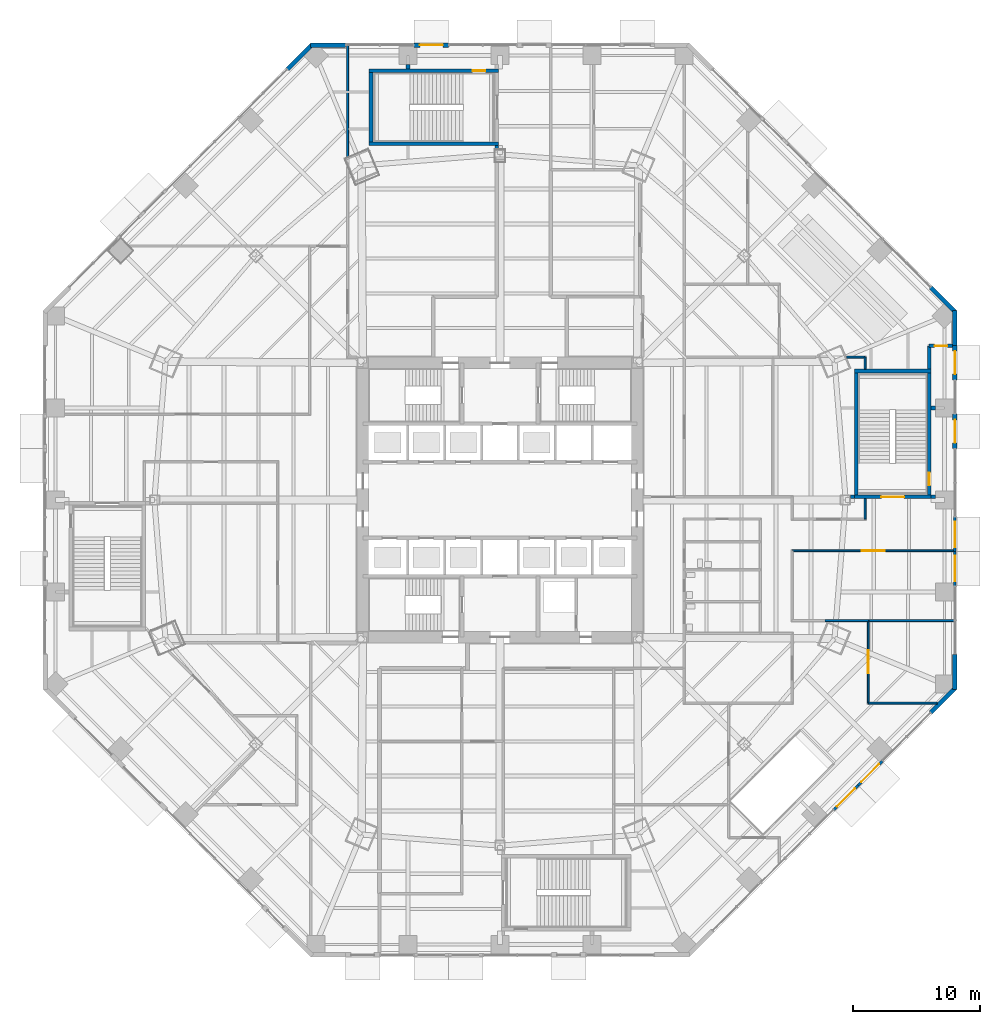
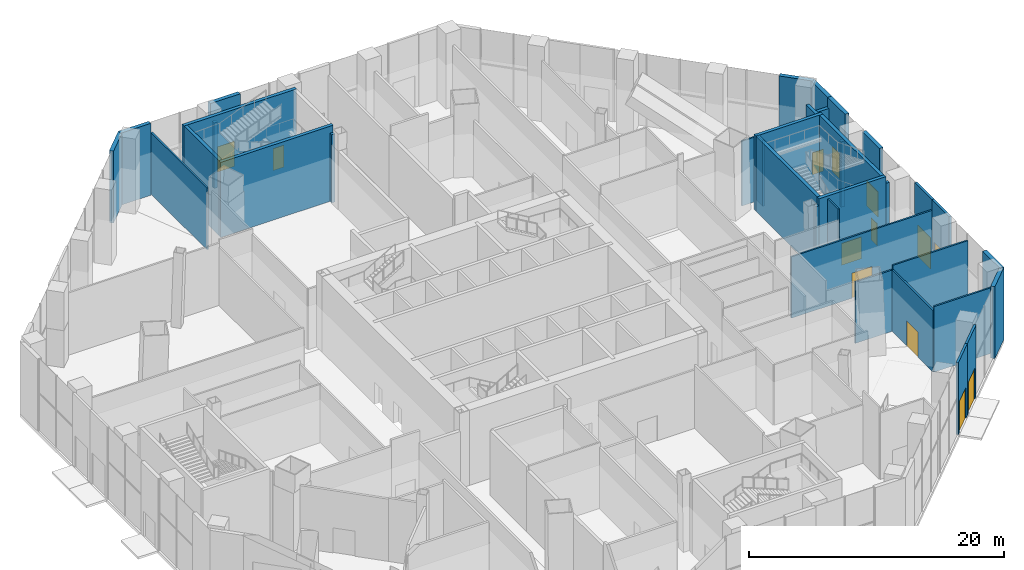
# One storey, part 25 of 35: 36 walls, 13 doors, 13 openings.
"""IFC4 building model written with IfcOpenShell, lengths in metres."""

from ifc_helpers import new_model, si_unit, direction, frame, frame_2d, origin, place, context, subcontext, project, spatial, rectangle, extrude, material, layer, layer_set, type_object, element, fill, save


model = new_model("IFC4")

# Units and contexts
model_context = context("Model", 3, precision=1e-05, world=origin(), true_north=direction((0.0, 1.0)))
body_context = subcontext(model_context, "Body", "Model", "MODEL_VIEW")
ifc_project = project(units=[si_unit("LENGTHUNIT", "METRE"), si_unit("AREAUNIT", "SQUARE_METRE"), si_unit("VOLUMEUNIT", "CUBIC_METRE"), si_unit("PLANEANGLEUNIT", "RADIAN"), si_unit("MASSUNIT", "GRAM", prefix="KILO")], contexts=[model_context])

# Site, building, storey
site_placement = place(None, origin())
site = spatial("IfcSite", under=ifc_project, at=site_placement, CompositionType="ELEMENT")
building_placement = place(site_placement, origin())
building = spatial("IfcBuilding", under=site, at=building_placement, Name="Mashrafa Tower", CompositionType="ELEMENT")
storey_placement = place(building_placement, origin())
storey = spatial("IfcBuildingStorey", under=building, at=storey_placement, Name="L00", CompositionType="ELEMENT", Elevation=0.0)

# Walls
ifc_material_1 = material(Name="Gypsum board on steel studs", Category="steel")
ifc_layer_1 = layer(ifc_material_1, 0.14990234375)
ifc_layer_set_1 = layer_set([ifc_layer_1], Name="Corridor partition 150 1 hr")
wall_type_1 = type_object("IfcWallType", Name="Corridor partition 150 1 hr", PredefinedType="PARTITIONING", material=ifc_layer_set_1)
wall_1_placement = place(storey_placement, frame((28.75, 10.299560546875, 0.0), z_axis=(0.0, 0.0, 1.0), x_axis=(0.0, 1.0, 0.0)))
element("IfcWall", 1, at=wall_1_placement, inside=storey, type_object=wall_type_1, Name="Corridor wall L00-075", PredefinedType="PARTITIONING", context=body_context, shape_type="SweptSolid", body=[
    extrude(rectangle(XDim=0.950439453125, YDim=0.14990234375, at=frame_2d((0.47509765625, 0.0))), origin(), (0.0, 0.0, 1.0), 6.3642578125),
])
wall_2_placement = place(storey_placement, frame((28.75, 11.25, 0.0), z_axis=(0.0, 0.0, 1.0), x_axis=(-1.0, 0.0, 0.0)))
element("IfcWall", 2, at=wall_2_placement, inside=storey, type_object=wall_type_1, Name="Corridor wall L00-076", PredefinedType="PARTITIONING", context=body_context, shape_type="SweptSolid", body=[
    extrude(rectangle(XDim=1.451416015625, YDim=0.14990234375, at=frame_2d((0.7255859375, 0.0))), origin(), (0.0, 0.0, 1.0), 6.206787109375),
])
wall_3_placement = place(storey_placement, frame((28.75, -1.5, 0.0), z_axis=(0.0, 0.0, 1.0), x_axis=(0.0, 1.0, 0.0)))
element("IfcWall", 3, at=wall_3_placement, inside=storey, type_object=wall_type_1, Name="Corridor wall L00-081", PredefinedType="PARTITIONING", context=body_context, shape_type="SweptSolid", body=[
    extrude(rectangle(XDim=1.6005859375, YDim=0.14990234375, at=frame_2d((0.80029296875, 0.0))), origin(), (0.0, 0.0, 1.0), 6.89990234375),
])

# Wall, opening, door
wall_4_placement = place(storey_placement, frame((29.0, -9.5, 0.0), z_axis=(0.0, 0.0, 1.0), x_axis=(0.0, -1.0, 0.0)))
wall_4 = element("IfcWall", 4, at=wall_4_placement, inside=storey, type_object=wall_type_1, Name="Corridor wall L00-108", PredefinedType="PARTITIONING", context=body_context, shape_type="SweptSolid", body=[
    extrude(rectangle(XDim=6.5, YDim=0.14990234375, at=frame_2d((3.25, 0.0))), origin(), (0.0, 0.0, 1.0), 5.906982421875),
])
opening_1_placement = place(wall_4_placement, frame((2.35009765625, 0.0, 0.0)))
opening_1 = element("IfcOpeningElement", 5, at=opening_1_placement, cuts=wall_4, Name="Opening 00.025", PredefinedType="OPENING", context=body_context, shape_type="SweptSolid", body=[
    extrude(rectangle(XDim=1.800048828125, YDim=2.39990234375, at=frame_2d((0.89990234375, 1.199951171875))), frame((0.0, 0.0849609375, 0.0), z_axis=(0.0, -1.0, 0.0), x_axis=(1.0, 0.0, 0.0)), (0.0, 0.0, 1.0), 0.169921875),
])
ifc_material_2 = material(Name="Timber door", Category="wood")
door_type_1 = type_object("IfcDoorType", Name="Door pair 1800 x 2400", OperationType="DOUBLE_DOOR_SINGLE_SWING", PredefinedType="DOOR", material=ifc_material_2)
door_1_placement = place(opening_1_placement, origin())
door_1 = element("IfcDoor", 6, at=door_1_placement, inside=storey, type_object=door_type_1, Name="Pharmacy L00 door", OperationType="DOUBLE_DOOR_SINGLE_SWING", OverallHeight=2.39990234375, OverallWidth=1.800048828125, PredefinedType="DOOR", context=body_context, shape_type="SweptSolid", body=[
    extrude(rectangle(XDim=1.800048828125, YDim=2.39990234375, at=frame_2d((0.89990234375, 1.199951171875))), frame((0.0, 0.02490234375, 0.0), z_axis=(0.0, -1.0, 0.0), x_axis=(1.0, 0.0, 0.0)), (0.0, 0.0, 1.0), 0.050048828125),
])
fill(opening_1, door_1)

# Wall
wall_5_placement = place(storey_placement, frame((29.0, -16.0, 0.0), z_axis=(0.0, 0.0, 1.0), x_axis=(1.0, 0.0, 0.0)))
element("IfcWall", 7, at=wall_5_placement, inside=storey, type_object=wall_type_1, Name="Corridor wall L00-109", PredefinedType="PARTITIONING", context=body_context, shape_type="SweptSolid", body=[
    extrude(rectangle(XDim=5.416748046875, YDim=0.14990234375, at=frame_2d((2.70849609375, 0.0))), origin(), (0.0, 0.0, 1.0), 6.29052734375),
])

# Wall, opening, door
wall_6_placement = place(storey_placement, frame((35.719970703125, -4.0, 0.0), z_axis=(0.0, 0.0, 1.0), x_axis=(-1.0, 0.0, 0.0)))
wall_6 = element("IfcWall", 8, at=wall_6_placement, inside=storey, type_object=wall_type_1, Name="Corridor wall L00-112", PredefinedType="PARTITIONING", context=body_context, shape_type="SweptSolid", body=[
    extrude(rectangle(XDim=12.719970703125, YDim=0.14990234375, at=frame_2d((6.35986328125, 0.0))), origin(), (0.0, 0.0, 1.0), 5.879150390625),
])
opening_2_placement = place(wall_6_placement, frame((5.425048828125, 0.0, 0.0)))
opening_2 = element("IfcOpeningElement", 9, at=opening_2_placement, cuts=wall_6, Name="Opening 00.027", PredefinedType="OPENING", context=body_context, shape_type="SweptSolid", body=[
    extrude(rectangle(XDim=1.800048828125, YDim=2.39990234375, at=frame_2d((0.89990234375, 1.199951171875))), frame((0.0, 0.0849609375, 0.0), z_axis=(0.0, -1.0, 0.0), x_axis=(1.0, 0.0, 0.0)), (0.0, 0.0, 1.0), 0.169921875),
])
door_2_placement = place(opening_2_placement, origin())
door_2 = element("IfcDoor", 10, at=door_2_placement, inside=storey, type_object=door_type_1, Name="Retail Unit 002 door", OperationType="DOUBLE_DOOR_SINGLE_SWING", OverallHeight=2.39990234375, OverallWidth=1.800048828125, PredefinedType="DOOR", context=body_context, shape_type="SweptSolid", body=[
    extrude(rectangle(XDim=1.800048828125, YDim=2.39990234375, at=frame_2d((0.89990234375, 1.199951171875))), frame((0.0, 0.02490234375, 0.0), z_axis=(0.0, -1.0, 0.0), x_axis=(1.0, 0.0, 0.0)), (0.0, 0.0, 1.0), 0.050048828125),
])
fill(opening_2, door_2)

# Wall
wall_7_placement = place(storey_placement, frame((25.597900390625, -9.5, 0.0), z_axis=(0.0, 0.0, 1.0), x_axis=(1.0, 0.0, 0.0)))
element("IfcWall", 11, at=wall_7_placement, inside=storey, type_object=wall_type_1, Name="Corridor wall L00-115", PredefinedType="PARTITIONING", context=body_context, shape_type="SweptSolid", body=[
    extrude(rectangle(XDim=3.403076171875, YDim=0.14990234375, at=frame_2d((1.70166015625, 0.0))), origin(), (0.0, 0.0, 1.0), 5.879150390625),
])

# Wall, opening, door
ifc_material_3 = material(Name="Bronze-framed glazed screen")
ifc_layer_2 = layer(ifc_material_3, 0.199951171875)
ifc_layer_set_2 = layer_set([ifc_layer_2], Name="Glazed door screen 200")
wall_type_2 = type_object("IfcWallType", Name="Glazed door screen 200", PredefinedType="SOLIDWALL", material=ifc_layer_set_2)
wall_8_placement = place(storey_placement, frame((35.824951171875, -6.75927734375, 0.0), z_axis=(0.0, 0.0, 1.0), x_axis=(0.0, 1.0, 0.0)))
wall_8 = element("IfcWall", 12, at=wall_8_placement, inside=storey, type_object=wall_type_2, Name="Glazed entrance screen L00 east bay 4", PredefinedType="SOLIDWALL", context=body_context, shape_type="SweptSolid", body=[
    extrude(rectangle(XDim=2.703857421875, YDim=0.199951171875, at=frame_2d((1.35205078125, 0.0))), origin(), (0.0, 0.0, 1.0), 6.89990234375),
])
opening_3_placement = place(wall_8_placement, frame((0.351806640625, 0.0, 0.0)))
opening_3 = element("IfcOpeningElement", 13, at=opening_3_placement, cuts=wall_8, Name="Opening ED1", PredefinedType="OPENING", context=body_context, shape_type="SweptSolid", body=[
    extrude(rectangle(XDim=2.0, YDim=3.0, at=frame_2d((1.0, 1.5))), frame((0.0, 0.10986328125, 0.0), z_axis=(0.0, -1.0, 0.0), x_axis=(1.0, 0.0, 0.0)), (0.0, 0.0, 1.0), 0.219970703125),
])
ifc_material_4 = material(Name="Bronze-framed glazed entrance door")
door_type_2 = type_object("IfcDoorType", Name="Entrance door pair 2000 x 3000", OperationType="DOUBLE_DOOR_SINGLE_SWING", PredefinedType="DOOR", material=ifc_material_4)
door_3_placement = place(opening_3_placement, origin())
door_3 = element("IfcDoor", 14, at=door_3_placement, inside=storey, type_object=door_type_2, Name="Transit hall entrance east", OperationType="SINGLE_SWING_LEFT", OverallHeight=3.0, OverallWidth=2.0, PredefinedType="DOOR", context=body_context, shape_type="SweptSolid", body=[
    extrude(rectangle(XDim=2.0, YDim=3.0, at=frame_2d((1.0, 1.5))), frame((0.0, 0.02490234375, 0.0), z_axis=(0.0, -1.0, 0.0), x_axis=(1.0, 0.0, 0.0)), (0.0, 0.0, 1.0), 0.050048828125),
])
fill(opening_3, door_3)

wall_9_placement = place(storey_placement, frame((35.824951171875, -4.055419921875, 0.0), z_axis=(0.0, 0.0, 1.0), x_axis=(0.0, 1.0, 0.0)))
wall_9 = element("IfcWall", 15, at=wall_9_placement, inside=storey, type_object=wall_type_2, Name="Glazed entrance screen L00 east bay 5", PredefinedType="SOLIDWALL", context=body_context, shape_type="SweptSolid", body=[
    extrude(rectangle(XDim=2.70361328125, YDim=0.199951171875, at=frame_2d((1.351806640625, 0.0))), origin(), (0.0, 0.0, 1.0), 6.89990234375),
])
opening_4_placement = place(wall_9_placement, frame((0.351806640625, 0.0, 0.0)))
opening_4 = element("IfcOpeningElement", 16, at=opening_4_placement, cuts=wall_9, Name="Opening ED1", PredefinedType="OPENING", context=body_context, shape_type="SweptSolid", body=[
    extrude(rectangle(XDim=2.0, YDim=3.0, at=frame_2d((1.0, 1.5))), frame((0.0, 0.10986328125, 0.0), z_axis=(0.0, -1.0, 0.0), x_axis=(1.0, 0.0, 0.0)), (0.0, 0.0, 1.0), 0.219970703125),
])
door_4_placement = place(opening_4_placement, origin())
door_4 = element("IfcDoor", 17, at=door_4_placement, inside=storey, type_object=door_type_2, Name="Transit hall entrance east", OperationType="SINGLE_SWING_LEFT", OverallHeight=3.0, OverallWidth=2.0, PredefinedType="DOOR", context=body_context, shape_type="SweptSolid", body=[
    extrude(rectangle(XDim=2.0, YDim=3.0, at=frame_2d((1.0, 1.5))), frame((0.0, 0.02490234375, 0.0), z_axis=(0.0, -1.0, 0.0), x_axis=(1.0, 0.0, 0.0)), (0.0, 0.0, 1.0), 0.050048828125),
])
fill(opening_4, door_4)

wall_10_placement = place(storey_placement, frame((26.2880859375, -24.376220703125, 0.0), z_axis=(0.0, 0.0, 1.0), x_axis=(0.707061628939, 0.707151930551, 0.0)))
wall_10 = element("IfcWall", 18, at=wall_10_placement, inside=storey, type_object=wall_type_2, Name="Glazed entrance screen L00 south-east bay 7", PredefinedType="SOLIDWALL", context=body_context, shape_type="SweptSolid", body=[
    extrude(rectangle(XDim=2.70361328125, YDim=0.199951171875, at=frame_2d((1.351806640625, 0.0))), origin(), (0.0, 0.0, 1.0), 6.89990234375),
])
opening_5_placement = place(wall_10_placement, frame((0.351806640625, 0.0, 0.0)))
opening_5 = element("IfcOpeningElement", 19, at=opening_5_placement, cuts=wall_10, Name="Opening ED1", PredefinedType="OPENING", context=body_context, shape_type="SweptSolid", body=[
    extrude(rectangle(XDim=2.0, YDim=3.0, at=frame_2d((1.0, 1.5))), frame((0.0, 0.10986328125, 0.0), z_axis=(0.0, -1.0, 0.0), x_axis=(1.0, 0.0, 0.0)), (0.0, 0.0, 1.0), 0.219970703125),
])
door_5_placement = place(opening_5_placement, origin())
door_5 = element("IfcDoor", 20, at=door_5_placement, inside=storey, type_object=door_type_2, Name="Transit hall entrance south-east", OperationType="SINGLE_SWING_LEFT", OverallHeight=3.0, OverallWidth=2.0, PredefinedType="DOOR", context=body_context, shape_type="SweptSolid", body=[
    extrude(rectangle(XDim=2.0, YDim=3.0, at=frame_2d((1.0, 1.5))), frame((0.0, 0.02490234375, 0.0), z_axis=(0.0, -1.0, 0.0), x_axis=(1.0, 0.0, 0.0)), (0.0, 0.0, 1.0), 0.050048828125),
])
fill(opening_5, door_5)

wall_11_placement = place(storey_placement, frame((28.19970703125, -22.46435546875, 0.0), z_axis=(0.0, 0.0, 1.0), x_axis=(0.707151930551, 0.707061628939, 0.0)))
wall_11 = element("IfcWall", 21, at=wall_11_placement, inside=storey, type_object=wall_type_2, Name="Glazed entrance screen L00 south-east bay 8", PredefinedType="SOLIDWALL", context=body_context, shape_type="SweptSolid", body=[
    extrude(rectangle(XDim=2.70361328125, YDim=0.199951171875, at=frame_2d((1.351806640625, 0.0))), origin(), (0.0, 0.0, 1.0), 6.89990234375),
])
opening_6_placement = place(wall_11_placement, frame((0.351806640625, 0.0, 0.0)))
opening_6 = element("IfcOpeningElement", 22, at=opening_6_placement, cuts=wall_11, Name="Opening ED1", PredefinedType="OPENING", context=body_context, shape_type="SweptSolid", body=[
    extrude(rectangle(XDim=2.0, YDim=3.0, at=frame_2d((1.0, 1.5))), frame((0.0, 0.10986328125, 0.0), z_axis=(0.0, -1.0, 0.0), x_axis=(1.0, 0.0, 0.0)), (0.0, 0.0, 1.0), 0.219970703125),
])
door_6_placement = place(opening_6_placement, origin())
door_6 = element("IfcDoor", 23, at=door_6_placement, inside=storey, type_object=door_type_2, Name="Transit hall entrance south-east", OperationType="SINGLE_SWING_LEFT", OverallHeight=3.0, OverallWidth=2.0, PredefinedType="DOOR", context=body_context, shape_type="SweptSolid", body=[
    extrude(rectangle(XDim=2.0, YDim=3.0, at=frame_2d((1.0, 1.5))), frame((0.0, 0.02490234375, 0.0), z_axis=(0.0, -1.0, 0.0), x_axis=(1.0, 0.0, 0.0)), (0.0, 0.0, 1.0), 0.050048828125),
])
fill(opening_6, door_6)

# Wall
ifc_material_5 = material(Name="Riyadh limestone cladding on blockwork", Category="masonry")
ifc_layer_3 = layer(ifc_material_5, 0.35009765625)
ifc_layer_set_3 = layer_set([ifc_layer_3], Name="Limestone-clad external wall 350")
wall_type_3 = type_object("IfcWallType", Name="Limestone-clad external wall 350", PredefinedType="SOLIDWALL", material=ifc_layer_set_3)
wall_12_placement = place(storey_placement, frame((35.824951171875, -14.91162109375, 0.0), z_axis=(0.0, 0.0, 1.0), x_axis=(0.0, 1.0, 0.0)))
element("IfcWall", 24, at=wall_12_placement, inside=storey, type_object=wall_type_3, Name="Limestone corner pier L00 east bay 1", PredefinedType="SOLIDWALL", context=body_context, shape_type="SweptSolid", body=[
    extrude(rectangle(XDim=2.7451171875, YDim=0.35009765625, at=frame_2d((1.37255859375, 0.0))), origin(), (0.0, 0.0, 1.0), 6.89990234375),
])

# Wall, opening, door
wall_13_placement = place(storey_placement, frame((35.824951171875, 4.055419921875, 0.0), z_axis=(0.0, 0.0, 1.0), x_axis=(0.0, 1.0, 0.0)))
wall_13 = element("IfcWall", 25, at=wall_13_placement, inside=storey, type_object=wall_type_3, Name="Limestone door bay L00 east bay 8", PredefinedType="SOLIDWALL", context=body_context, shape_type="SweptSolid", body=[
    extrude(rectangle(XDim=2.703857421875, YDim=0.35009765625, at=frame_2d((1.35205078125, 0.0))), origin(), (0.0, 0.0, 1.0), 6.89990234375),
])
opening_7_placement = place(wall_13_placement, frame((0.451904296875, 0.0, 0.0)))
opening_7 = element("IfcOpeningElement", 26, at=opening_7_placement, cuts=wall_13, Name="Opening ED2", PredefinedType="OPENING", context=body_context, shape_type="SweptSolid", body=[
    extrude(rectangle(XDim=1.800048828125, YDim=2.39990234375, at=frame_2d((0.89990234375, 1.199951171875))), frame((0.0, 0.18505859375, 0.0), z_axis=(0.0, -1.0, 0.0), x_axis=(1.0, 0.0, 0.0)), (0.0, 0.0, 1.0), 0.3701171875),
])
ifc_material_6 = material(Name="Steel exit door", Category="steel")
door_type_3 = type_object("IfcDoorType", Name="Exit discharge door pair 1800 x 2400", OperationType="DOUBLE_DOOR_SINGLE_SWING", PredefinedType="DOOR", material=ifc_material_6)
door_7_placement = place(opening_7_placement, frame((1.800048828125, 0.0, 0.0), z_axis=(0.0, 0.0, 1.0), x_axis=(-1.0, 0.0, 0.0)))
door_7 = element("IfcDoor", 27, at=door_7_placement, inside=storey, type_object=door_type_3, Name="Stair P1 exit discharge east", OperationType="DOUBLE_DOOR_SINGLE_SWING", OverallHeight=2.39990234375, OverallWidth=1.800048828125, PredefinedType="DOOR", context=body_context, shape_type="SweptSolid", body=[
    extrude(rectangle(XDim=1.800048828125, YDim=2.39990234375, at=frame_2d((0.89990234375, 1.199951171875))), frame((0.0, 0.02490234375, 0.0), z_axis=(0.0, -1.0, 0.0), x_axis=(1.0, 0.0, 0.0)), (0.0, 0.0, 1.0), 0.050048828125),
])
fill(opening_7, door_7)

wall_14_placement = place(storey_placement, frame((35.824951171875, 9.462890625, 0.0), z_axis=(0.0, 0.0, 1.0), x_axis=(0.0, 1.0, 0.0)))
wall_14 = element("IfcWall", 28, at=wall_14_placement, inside=storey, type_object=wall_type_3, Name="Limestone door bay L00 east bay 10", PredefinedType="SOLIDWALL", context=body_context, shape_type="SweptSolid", body=[
    extrude(rectangle(XDim=2.70361328125, YDim=0.35009765625, at=frame_2d((1.351806640625, 0.0))), origin(), (0.0, 0.0, 1.0), 6.89990234375),
])
opening_8_placement = place(wall_14_placement, frame((0.451904296875, 0.0, 0.0)))
opening_8 = element("IfcOpeningElement", 29, at=opening_8_placement, cuts=wall_14, Name="Opening ED2", PredefinedType="OPENING", context=body_context, shape_type="SweptSolid", body=[
    extrude(rectangle(XDim=1.800048828125, YDim=2.39990234375, at=frame_2d((0.89990234375, 1.199951171875))), frame((0.0, 0.18505859375, 0.0), z_axis=(0.0, -1.0, 0.0), x_axis=(1.0, 0.0, 0.0)), (0.0, 0.0, 1.0), 0.3701171875),
])
door_8_placement = place(opening_8_placement, frame((1.800048828125, 0.0, 0.0), z_axis=(0.0, 0.0, 1.0), x_axis=(-1.0, 0.0, 0.0)))
door_8 = element("IfcDoor", 30, at=door_8_placement, inside=storey, type_object=door_type_3, Name="Exhibition exit passage discharge east", OperationType="DOUBLE_DOOR_SINGLE_SWING", OverallHeight=2.39990234375, OverallWidth=1.800048828125, PredefinedType="DOOR", context=body_context, shape_type="SweptSolid", body=[
    extrude(rectangle(XDim=1.800048828125, YDim=2.39990234375, at=frame_2d((0.89990234375, 1.199951171875))), frame((0.0, 0.02490234375, 0.0), z_axis=(0.0, -1.0, 0.0), x_axis=(1.0, 0.0, 0.0)), (0.0, 0.0, 1.0), 0.050048828125),
])
fill(opening_8, door_8)

# Walls
for number, where, z_axis, x_axis, name in (
    (31, (35.824951171875, 12.16650390625, 0.0), (0.0, 0.0, 1.0), (0.0, 1.0, 0.0), "Limestone corner pier L00 east bay 11"),
    (32, (35.876220703125, 14.787841796875, 0.0), (0.0, 0.0, 1.0), (-0.707106781187, 0.707106781187, 0.0), "Limestone corner pier L00 north-east bay 1"),
):
    element("IfcWall", number, at=place(storey_placement, frame(where, z_axis=z_axis, x_axis=x_axis)), inside=storey, type_object=wall_type_3, Name=name, PredefinedType="SOLIDWALL", context=body_context, shape_type="SweptSolid", body=[
        extrude(rectangle(XDim=2.7451171875, YDim=0.35009765625, at=frame_2d((1.37255859375, 0.0))), origin(), (0.0, 0.0, 1.0), 6.89990234375),
    ])

# Wall, opening, door
wall_15_placement = place(storey_placement, frame((-4.055419921875, 35.824951171875, 0.0), z_axis=(0.0, 0.0, 1.0), x_axis=(-1.0, 0.0, 0.0)))
wall_15 = element("IfcWall", 33, at=wall_15_placement, inside=storey, type_object=wall_type_3, Name="Limestone door bay L00 north bay 8", PredefinedType="SOLIDWALL", context=body_context, shape_type="SweptSolid", body=[
    extrude(rectangle(XDim=2.703857421875, YDim=0.35009765625, at=frame_2d((1.35205078125, 0.0))), origin(), (0.0, 0.0, 1.0), 6.89990234375),
])
opening_9_placement = place(wall_15_placement, frame((0.451904296875, 0.0, 0.0)))
opening_9 = element("IfcOpeningElement", 34, at=opening_9_placement, cuts=wall_15, Name="Opening ED2", PredefinedType="OPENING", context=body_context, shape_type="SweptSolid", body=[
    extrude(rectangle(XDim=1.800048828125, YDim=2.39990234375, at=frame_2d((0.89990234375, 1.199951171875))), frame((0.0, 0.18505859375, 0.0), z_axis=(0.0, -1.0, 0.0), x_axis=(1.0, 0.0, 0.0)), (0.0, 0.0, 1.0), 0.3701171875),
])
door_9_placement = place(opening_9_placement, frame((1.800048828125, 0.0, 0.0), z_axis=(0.0, 0.0, 1.0), x_axis=(-1.0, 0.0, 0.0)))
door_9 = element("IfcDoor", 35, at=door_9_placement, inside=storey, type_object=door_type_3, Name="Stair P2 exit discharge north", OperationType="DOUBLE_DOOR_SINGLE_SWING", OverallHeight=2.39990234375, OverallWidth=1.800048828125, PredefinedType="DOOR", context=body_context, shape_type="SweptSolid", body=[
    extrude(rectangle(XDim=1.800048828125, YDim=2.39990234375, at=frame_2d((0.89990234375, 1.199951171875))), frame((0.0, 0.02490234375, 0.0), z_axis=(0.0, -1.0, 0.0), x_axis=(1.0, 0.0, 0.0)), (0.0, 0.0, 1.0), 0.050048828125),
])
fill(opening_9, door_9)

# Walls
for number, where, z_axis, x_axis, name in (
    (36, (-12.16650390625, 35.824951171875, 0.0), (0.0, 0.0, 1.0), (-1.0, 0.0, 0.0), "Limestone corner pier L00 north bay 11"),
    (37, (-14.787841796875, 35.876220703125, 0.0), (0.0, 0.0, 1.0), (-0.707106781187, -0.707106781187, 0.0), "Limestone corner pier L00 north-west bay 1"),
    (38, (33.93505859375, -16.72900390625, 0.0), (0.0, 0.0, 1.0), (0.707106781187, 0.707106781187, 0.0), "Limestone corner pier L00 south-east bay 11"),
):
    element("IfcWall", number, at=place(storey_placement, frame(where, z_axis=z_axis, x_axis=x_axis)), inside=storey, type_object=wall_type_3, Name=name, PredefinedType="SOLIDWALL", context=body_context, shape_type="SweptSolid", body=[
        extrude(rectangle(XDim=2.7451171875, YDim=0.35009765625, at=frame_2d((1.37255859375, 0.0))), origin(), (0.0, 0.0, 1.0), 6.89990234375),
    ])
ifc_material_7 = material(Name="Gypsum board on steel studs", Category="steel")
ifc_layer_4 = layer(ifc_material_7, 0.14990234375)
ifc_layer_set_4 = layer_set([ifc_layer_4], Name="Partition 150")
wall_type_4 = type_object("IfcWallType", Name="Partition 150", PredefinedType="PARTITIONING", material=ifc_layer_set_4)
wall_16_placement = place(storey_placement, frame((-12.0, 26.988037109375, 0.0), z_axis=(0.0, 0.0, 1.0), x_axis=(0.0, 1.0, 0.0)))
element("IfcWall", 39, at=wall_16_placement, inside=storey, type_object=wall_type_4, Name="Partition wall L00-052", PredefinedType="PARTITIONING", context=body_context, shape_type="SweptSolid", body=[
    extrude(rectangle(XDim=8.81884765625, YDim=0.14990234375, at=frame_2d((4.409423828125, 0.0))), origin(), (0.0, 0.0, 1.0), 5.906982421875),
])
wall_17_placement = place(storey_placement, frame((35.806884765625, -9.5, 0.0), z_axis=(0.0, 0.0, 1.0), x_axis=(-1.0, 0.0, 0.0)))
element("IfcWall", 40, at=wall_17_placement, inside=storey, type_object=wall_type_4, Name="Partition wall L00-107", PredefinedType="PARTITIONING", context=body_context, shape_type="SweptSolid", body=[
    extrude(rectangle(XDim=6.806884765625, YDim=0.14990234375, at=frame_2d((3.4033203125, 0.0))), origin(), (0.0, 0.0, 1.0), 6.2880859375),
])

# Wall, opening, door
ifc_material_8 = material(Name="Concrete C35/45", Category="concrete")
ifc_layer_5 = layer(ifc_material_8, 0.300048828125)
ifc_layer_set_5 = layer_set([ifc_layer_5], Name="Stair core wall 300 3 hr")
wall_type_5 = type_object("IfcWallType", Name="Stair core wall 300 3 hr", PredefinedType="SOLIDWALL", material=ifc_layer_set_5)
wall_18_placement = place(storey_placement, frame((27.89990234375, 0.25, 0.0), z_axis=(0.0, 0.0, 1.0), x_axis=(1.0, 0.0, 0.0)))
wall_18 = element("IfcWall", 41, at=wall_18_placement, inside=storey, type_object=wall_type_5, Name="Stair P1 core wall S L00", PredefinedType="SOLIDWALL", context=body_context, shape_type="SweptSolid", body=[
    extrude(rectangle(XDim=6.050048828125, YDim=0.300048828125, at=frame_2d((3.02490234375, 0.0))), origin(), (0.0, 0.0, 1.0), 7.199951171875),
])
opening_10_placement = place(wall_18_placement, frame((2.125, 0.0, 0.0)))
opening_10 = element("IfcOpeningElement", 42, at=opening_10_placement, cuts=wall_18, Name="Opening 00.045", PredefinedType="OPENING", context=body_context, shape_type="SweptSolid", body=[
    extrude(rectangle(XDim=1.800048828125, YDim=2.10009765625, at=frame_2d((0.89990234375, 1.050048828125))), frame((0.0, 0.159912109375, 0.0), z_axis=(0.0, -1.0, 0.0), x_axis=(1.0, 0.0, 0.0)), (0.0, 0.0, 1.0), 0.320068359375),
])
ifc_material_9 = material(Name="Steel door", Category="steel")
door_type_4 = type_object("IfcDoorType", Name="Stair door pair 1800 x 2100 90 min", OperationType="DOUBLE_DOOR_SINGLE_SWING", PredefinedType="DOOR", material=ifc_material_9)
door_10_placement = place(opening_10_placement, origin())
door_10 = element("IfcDoor", 43, at=door_10_placement, inside=storey, type_object=door_type_4, Name="Stair P1 door L00", OperationType="DOUBLE_DOOR_SINGLE_SWING", OverallHeight=2.10009765625, OverallWidth=1.800048828125, PredefinedType="DOOR", context=body_context, shape_type="SweptSolid", body=[
    extrude(rectangle(XDim=1.800048828125, YDim=2.10009765625, at=frame_2d((0.89990234375, 1.050048828125))), frame((0.0, 0.02490234375, 0.0), z_axis=(0.0, -1.0, 0.0), x_axis=(1.0, 0.0, 0.0)), (0.0, 0.0, 1.0), 0.050048828125),
])
fill(opening_10, door_10)

# Walls
wall_19_placement = place(storey_placement, frame((27.89990234375, 0.25, 0.0), z_axis=(0.0, 0.0, 1.0), x_axis=(-1.0, 0.0, 0.0)))
element("IfcWall", 44, at=wall_19_placement, inside=storey, type_object=wall_type_5, Name="Stair P1 core wall S L00 end piece 1", PredefinedType="SOLIDWALL", context=body_context, shape_type="SweptSolid", body=[
    extrude(rectangle(XDim=0.285400390625, YDim=0.300048828125, at=frame_2d((0.142578125, 0.0))), origin(), (0.0, 0.0, 1.0), 6.54443359375),
])
wall_20_placement = place(storey_placement, frame((33.949951171875, 0.25, 0.0), z_axis=(0.0, 0.0, 1.0), x_axis=(1.0, 0.0, 0.0)))
element("IfcWall", 45, at=wall_20_placement, inside=storey, type_object=wall_type_5, Name="Stair P1 core wall S L00 end piece 2", PredefinedType="SOLIDWALL", context=body_context, shape_type="SweptSolid", body=[
    extrude(rectangle(XDim=0.35009765625, YDim=0.300048828125, at=frame_2d((0.175048828125, 0.0))), origin(), (0.0, 0.0, 1.0), 6.54443359375),
])
wall_21_placement = place(storey_placement, frame((33.949951171875, 10.14990234375, 0.0), z_axis=(0.0, 0.0, 1.0), x_axis=(-1.0, 0.0, 0.0)))
element("IfcWall", 46, at=wall_21_placement, inside=storey, type_object=wall_type_5, Name="Stair P1 core wall N L00", PredefinedType="SOLIDWALL", context=body_context, shape_type="SweptSolid", body=[
    extrude(rectangle(XDim=6.050048828125, YDim=0.300048828125, at=frame_2d((3.02490234375, 0.0))), origin(), (0.0, 0.0, 1.0), 7.199951171875),
])
wall_22_placement = place(storey_placement, frame((28.050048828125, 10.0, 0.0), z_axis=(0.0, 0.0, 1.0), x_axis=(0.0, -1.0, 0.0)))
element("IfcWall", 47, at=wall_22_placement, inside=storey, type_object=wall_type_5, Name="Stair P1 core wall W L00", PredefinedType="SOLIDWALL", context=body_context, shape_type="SweptSolid", body=[
    extrude(rectangle(XDim=9.60009765625, YDim=0.300048828125, at=frame_2d((4.800048828125, 0.0))), origin(), (0.0, 0.0, 1.0), 7.199951171875),
])

# Wall, opening, door
wall_23_placement = place(storey_placement, frame((33.800048828125, 0.39990234375, 0.0), z_axis=(0.0, 0.0, 1.0), x_axis=(0.0, 1.0, 0.0)))
wall_23 = element("IfcWall", 48, at=wall_23_placement, inside=storey, type_object=wall_type_5, Name="Stair P1 core wall E L00", PredefinedType="SOLIDWALL", context=body_context, shape_type="SweptSolid", body=[
    extrude(rectangle(XDim=9.60009765625, YDim=0.300048828125, at=frame_2d((4.800048828125, 0.0))), origin(), (0.0, 0.0, 1.0), 7.199951171875),
])
opening_11_placement = place(wall_23_placement, frame((0.75, 0.0, 0.0)))
opening_11 = element("IfcOpeningElement", 49, at=opening_11_placement, cuts=wall_23, Name="Opening 00.046", PredefinedType="OPENING", context=body_context, shape_type="SweptSolid", body=[
    extrude(rectangle(XDim=1.0, YDim=2.10009765625, at=frame_2d((0.5, 1.050048828125))), frame((0.0, 0.159912109375, 0.0), z_axis=(0.0, -1.0, 0.0), x_axis=(1.0, 0.0, 0.0)), (0.0, 0.0, 1.0), 0.320068359375),
])
ifc_material_10 = material(Name="Steel door", Category="steel")
door_type_5 = type_object("IfcDoorType", Name="Stair door 1000 x 2100 90 min", OperationType="USERDEFINED", PredefinedType="DOOR", material=ifc_material_10)
door_11_placement = place(opening_11_placement, origin())
door_11 = element("IfcDoor", 50, at=door_11_placement, inside=storey, type_object=door_type_5, Name="Stair P1 exit passage door L00", OperationType="SINGLE_SWING_LEFT", OverallHeight=2.10009765625, OverallWidth=1.0, PredefinedType="DOOR", context=body_context, shape_type="SweptSolid", body=[
    extrude(rectangle(XDim=1.0, YDim=2.10009765625, at=frame_2d((0.5, 1.050048828125))), frame((0.0, 0.02490234375, 0.0), z_axis=(0.0, -1.0, 0.0), x_axis=(1.0, 0.0, 0.0)), (0.0, 0.0, 1.0), 0.050048828125),
])
fill(opening_11, door_11)

# Wall
wall_24_placement = place(storey_placement, frame((-10.300048828125, 28.050048828125, 0.0), z_axis=(0.0, 0.0, 1.0), x_axis=(1.0, 0.0, 0.0)))
element("IfcWall", 51, at=wall_24_placement, inside=storey, type_object=wall_type_5, Name="Stair P2 core wall S L00", PredefinedType="SOLIDWALL", context=body_context, shape_type="SweptSolid", body=[
    extrude(rectangle(XDim=10.199951171875, YDim=0.300048828125, at=frame_2d((5.10009765625, 0.0))), origin(), (0.0, 0.0, 1.0), 7.199951171875),
])

# Wall, opening, door
wall_25_placement = place(storey_placement, frame((-0.10009765625, 33.800048828125, 0.0), z_axis=(0.0, 0.0, 1.0), x_axis=(-1.0, 0.0, 0.0)))
wall_25 = element("IfcWall", 52, at=wall_25_placement, inside=storey, type_object=wall_type_5, Name="Stair P2 core wall N L00", PredefinedType="SOLIDWALL", context=body_context, shape_type="SweptSolid", body=[
    extrude(rectangle(XDim=10.199951171875, YDim=0.300048828125, at=frame_2d((5.10009765625, 0.0))), origin(), (0.0, 0.0, 1.0), 7.199951171875),
])
opening_12_placement = place(wall_25_placement, frame((1.050048828125, 0.0, 0.0)))
opening_12 = element("IfcOpeningElement", 53, at=opening_12_placement, cuts=wall_25, Name="Opening 00.048", PredefinedType="OPENING", context=body_context, shape_type="SweptSolid", body=[
    extrude(rectangle(XDim=1.0, YDim=2.10009765625, at=frame_2d((0.5, 1.050048828125))), frame((0.0, 0.159912109375, 0.0), z_axis=(0.0, -1.0, 0.0), x_axis=(1.0, 0.0, 0.0)), (0.0, 0.0, 1.0), 0.320068359375),
])
door_12_placement = place(opening_12_placement, origin())
door_12 = element("IfcDoor", 54, at=door_12_placement, inside=storey, type_object=door_type_5, Name="Stair P2 exit passage door L00", OperationType="SINGLE_SWING_LEFT", OverallHeight=2.10009765625, OverallWidth=1.0, PredefinedType="DOOR", context=body_context, shape_type="SweptSolid", body=[
    extrude(rectangle(XDim=1.0, YDim=2.10009765625, at=frame_2d((0.5, 1.050048828125))), frame((0.0, 0.02490234375, 0.0), z_axis=(0.0, -1.0, 0.0), x_axis=(1.0, 0.0, 0.0)), (0.0, 0.0, 1.0), 0.050048828125),
])
fill(opening_12, door_12)

# Walls
wall_26_placement = place(storey_placement, frame((-10.14990234375, 33.64990234375, 0.0), z_axis=(0.0, 0.0, 1.0), x_axis=(0.0, -1.0, 0.0)))
element("IfcWall", 55, at=wall_26_placement, inside=storey, type_object=wall_type_5, Name="Stair P2 core wall W L00", PredefinedType="SOLIDWALL", context=body_context, shape_type="SweptSolid", body=[
    extrude(rectangle(XDim=5.449951171875, YDim=0.300048828125, at=frame_2d((2.72509765625, 0.0))), origin(), (0.0, 0.0, 1.0), 7.199951171875),
])
ifc_material_11 = material(Name="Concrete masonry unit", Category="masonry")
ifc_layer_6 = layer(ifc_material_11, 0.300048828125)
ifc_layer_set_6 = layer_set([ifc_layer_6], Name="Stair enclosure wall 300 2 hr")
wall_type_6 = type_object("IfcWallType", Name="Stair enclosure wall 300 2 hr", PredefinedType="PARTITIONING", material=ifc_layer_set_6)
wall_27_placement = place(storey_placement, frame((-0.25, 27.900390625, 0.0), z_axis=(0.0, 0.0, 1.0), x_axis=(0.0, -1.0, 0.0)))
element("IfcWall", 56, at=wall_27_placement, inside=storey, type_object=wall_type_6, Name="Stair wall L00-003", PredefinedType="PARTITIONING", context=body_context, shape_type="SweptSolid", body=[
    extrude(rectangle(XDim=0.2666015625, YDim=0.300048828125, at=frame_2d((0.13330078125, 0.0))), origin(), (0.0, 0.0, 1.0), 6.534423828125),
])
wall_28_placement = place(storey_placement, frame((34.281005859375, 7.248779296875, 0.0), z_axis=(0.0, 0.0, 1.0), x_axis=(-1.0, 0.0, 0.0)))
element("IfcWall", 57, at=wall_28_placement, inside=storey, type_object=wall_type_6, Name="Stair wall L00-018", PredefinedType="PARTITIONING", context=body_context, shape_type="SweptSolid", body=[
    extrude(rectangle(XDim=0.33154296875, YDim=0.300048828125, at=frame_2d((0.165771484375, 0.0))), origin(), (0.0, 0.0, 1.0), 6.29052734375),
])

# Wall, opening, door
wall_29_placement = place(storey_placement, frame((35.64990234375, 12.14111328125, 0.0), z_axis=(0.0, 0.0, 1.0), x_axis=(-1.0, 0.0, 0.0)))
wall_29 = element("IfcWall", 58, at=wall_29_placement, inside=storey, type_object=wall_type_6, Name="Stair wall L00-019", PredefinedType="PARTITIONING", context=body_context, shape_type="SweptSolid", body=[
    extrude(rectangle(XDim=1.849853515625, YDim=0.300048828125, at=frame_2d((0.9248046875, 0.0))), origin(), (0.0, 0.0, 1.0), 5.929931640625),
])
opening_13_placement = place(wall_29_placement, frame((0.425048828125, 0.0, 0.0)))
opening_13 = element("IfcOpeningElement", 59, at=opening_13_placement, cuts=wall_29, Name="Opening 00.028", PredefinedType="OPENING", context=body_context, shape_type="SweptSolid", body=[
    extrude(rectangle(XDim=1.0, YDim=2.10009765625, at=frame_2d((0.5, 1.050048828125))), frame((0.0, 0.159912109375, 0.0), z_axis=(0.0, -1.0, 0.0), x_axis=(1.0, 0.0, 0.0)), (0.0, 0.0, 1.0), 0.320068359375),
])
ifc_material_12 = material(Name="Steel door", Category="steel")
door_type_6 = type_object("IfcDoorType", Name="Door 1000 x 2100 90 min", OperationType="USERDEFINED", PredefinedType="DOOR", material=ifc_material_12)
door_13_placement = place(opening_13_placement, frame((1.0, 0.0, 0.0), z_axis=(0.0, 0.0, 1.0), x_axis=(-1.0, 0.0, 0.0)))
door_13 = element("IfcDoor", 60, at=door_13_placement, inside=storey, type_object=door_type_6, Name="Exhibition Entrance Hall door", OperationType="SINGLE_SWING_RIGHT", OverallHeight=2.10009765625, OverallWidth=1.0, PredefinedType="DOOR", context=body_context, shape_type="SweptSolid", body=[
    extrude(rectangle(XDim=1.0, YDim=2.10009765625, at=frame_2d((0.5, 1.050048828125))), frame((0.0, 0.02490234375, 0.0), z_axis=(0.0, -1.0, 0.0), x_axis=(1.0, 0.0, 0.0)), (0.0, 0.0, 1.0), 0.050048828125),
])
fill(opening_13, door_13)

# Walls
wall_30_placement = place(storey_placement, frame((33.800048828125, 12.14111328125, 0.0), z_axis=(0.0, 0.0, 1.0), x_axis=(0.0, -1.0, 0.0)))
element("IfcWall", 61, at=wall_30_placement, inside=storey, type_object=wall_type_6, Name="Stair wall L00-020", PredefinedType="PARTITIONING", context=body_context, shape_type="SweptSolid", body=[
    extrude(rectangle(XDim=1.841552734375, YDim=0.300048828125, at=frame_2d((0.9208984375, 0.0))), origin(), (0.0, 0.0, 1.0), 6.89990234375),
])
wall_31_placement = place(storey_placement, frame((-7.248779296875, 34.281005859375, 0.0), z_axis=(0.0, 0.0, 1.0), x_axis=(0.0, -1.0, 0.0)))
element("IfcWall", 62, at=wall_31_placement, inside=storey, type_object=wall_type_6, Name="Stair wall L00-021", PredefinedType="PARTITIONING", context=body_context, shape_type="SweptSolid", body=[
    extrude(rectangle(XDim=0.33154296875, YDim=0.300048828125, at=frame_2d((0.165771484375, 0.0))), origin(), (0.0, 0.0, 1.0), 6.29052734375),
])

save(model, "model.ifc")
